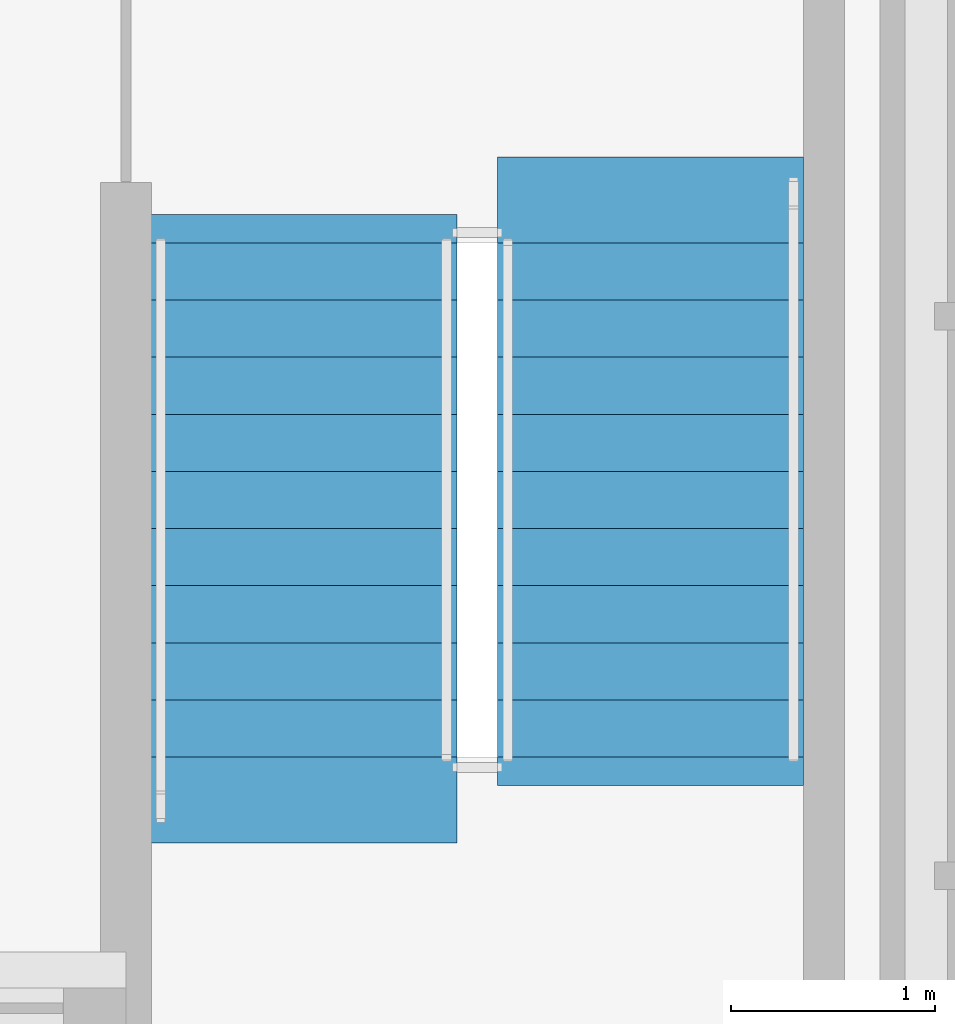
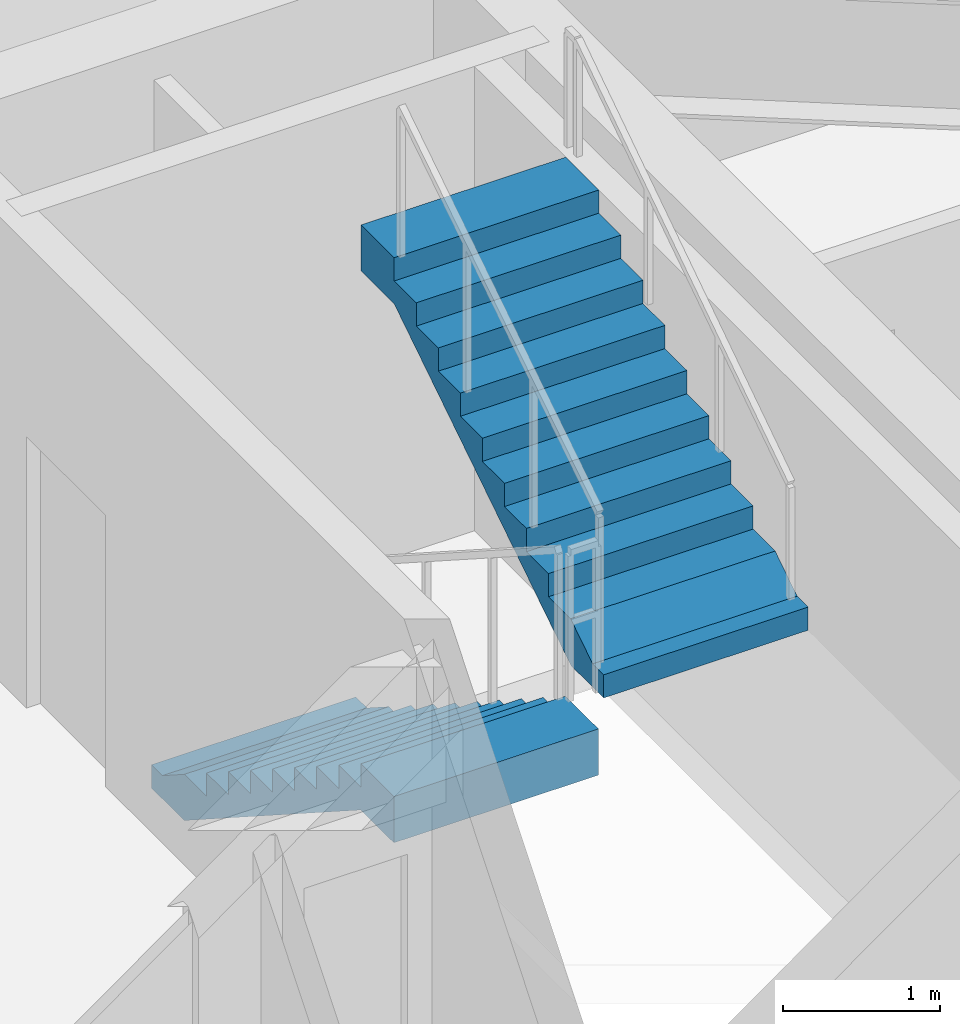
# One storey, part 10 of 12: 2 stair flights, 1 element without a shape of its own.
"""IFC4 building model written with IfcOpenShell, lengths in metres."""

import ifcopenshell
import ifcopenshell.guid

model = None  # the IFC model being written
_history = None  # IfcOwnerHistory: only IFC2X3 demands one
_inside = {}  # id of a spatial element -> (the spatial element, [elements in it])
_under = {}  # id of a project, library or spatial element -> (it, [spatial elements below it])
_declared = {}  # id of a project -> (the project, [libraries it declares])
_typed = {}  # id of a type object -> (the type object, [elements of that type])
_made_of = {}  # id of a material, layer set ... -> (it, [elements and type objects made of it])


def new_model(schema):
    """Start an empty IFC model of exactly this schema.

    Asked for "IFC4X3", IfcOpenShell would pick the latest addendum, in which some entities
    have other attributes; the version numbers below select the first issue.
    IFC2X3 requires an IfcOwnerHistory on every rooted entity: one is made here for all.
    """
    global model, _history
    if schema == "IFC4X3":
        model = ifcopenshell.file(schema_version=(4, 3, 0, 0))
    else:
        model = ifcopenshell.file(schema=schema)
    _inside.clear()
    _under.clear()
    _declared.clear()
    _typed.clear()
    _made_of.clear()
    _history = None
    if model.schema == "IFC2X3":
        org = make("IfcOrganization", Name="unknown")
        user = make(
            "IfcPersonAndOrganization",
            ThePerson=make("IfcPerson", FamilyName="unknown"),
            TheOrganization=org,
        )
        app = make(
            "IfcApplication",
            ApplicationDeveloper=org,
            Version="unknown",
            ApplicationFullName="unknown",
            ApplicationIdentifier="unknown",
        )
        _history = make(
            "IfcOwnerHistory",
            OwningUser=user,
            OwningApplication=app,
            ChangeAction="ADDED",
            CreationDate=0,
        )
    return model


def make(cls, **values):
    """One entity of the class cls with the attributes given. An attribute that is None is left unset."""
    return model.create_entity(
        cls, **{name: value for name, value in values.items() if value is not None}
    )


def rooted(cls, **values):
    """An entity with a GlobalId (a new one), such as an element, a storey or a relation."""
    return make(cls, GlobalId=ifcopenshell.guid.new(), OwnerHistory=_history, **values)


def si_unit(unit_type, name, prefix=None):
    """IfcSIUnit, for example si_unit("LENGTHUNIT", "METRE", prefix="MILLI")."""
    return make("IfcSIUnit", UnitType=unit_type, Prefix=prefix, Name=name)


def assignment(units):
    """IfcUnitAssignment: the units of a project."""
    return None if units is None else make("IfcUnitAssignment", Units=units)


def point(xyz):
    """IfcCartesianPoint."""
    return None if xyz is None else make("IfcCartesianPoint", Coordinates=xyz)


def direction(xyz):
    """IfcDirection."""
    return None if xyz is None else make("IfcDirection", DirectionRatios=xyz)


def frame(location, z_axis=None, x_axis=None):
    """IfcAxis2Placement3D, a coordinate frame: its origin and axes. An axis left out is left unset."""
    return make(
        "IfcAxis2Placement3D",
        Location=point(location),
        Axis=direction(z_axis),
        RefDirection=direction(x_axis),
    )


def origin():
    """The frame at (0, 0, 0) with its axes left unset."""
    return frame((0.0, 0.0, 0.0))


def place(relative_to, where):
    """IfcLocalPlacement: puts the frame where relative to a parent placement (None: the world)."""
    return make(
        "IfcLocalPlacement", PlacementRelTo=relative_to, RelativePlacement=where
    )


def context(
    kind, dimensions, precision=None, world=None, true_north=None, identifier=None
):
    """IfcGeometricRepresentationContext, for example the 3D "Model" context."""
    return make(
        "IfcGeometricRepresentationContext",
        ContextIdentifier=identifier,
        ContextType=kind,
        CoordinateSpaceDimension=dimensions,
        Precision=precision,
        WorldCoordinateSystem=world,
        TrueNorth=true_north,
    )


def subcontext(parent, identifier, kind, view, scale=None):
    """IfcGeometricRepresentationSubContext, for example "Body" below "Model"."""
    return make(
        "IfcGeometricRepresentationSubContext",
        ContextIdentifier=identifier,
        ContextType=kind,
        ParentContext=parent,
        TargetScale=scale,
        TargetView=view,
    )


def project(units=None, contexts=None):
    """IfcProject with its units and contexts."""
    return rooted(
        "IfcProject",
        Name="project",
        RepresentationContexts=contexts,
        UnitsInContext=assignment(units),
    )


def spatial(cls, under=None, at=None, **own):
    """A site, building, storey or space (cls), placed at a placement, below another one or the project."""
    s = rooted(cls, ObjectPlacement=at, **own)
    if under is not None:
        _under.setdefault(under.id(), (under, []))[1].append(s)
    return s


def polyline(points):
    """IfcPolyline through the points."""
    return make("IfcPolyline", Points=[point(p) for p in points])


def outline(outer, holes=None, kind="AREA"):
    """IfcArbitraryClosedProfileDef: a profile drawn as a closed curve; with holes, ...WithVoids."""
    if holes is None:
        return make("IfcArbitraryClosedProfileDef", ProfileType=kind, OuterCurve=outer)
    return make(
        "IfcArbitraryProfileDefWithVoids",
        ProfileType=kind,
        OuterCurve=outer,
        InnerCurves=holes,
    )


def extrude(swept, where, along, depth):
    """IfcExtrudedAreaSolid: the profile swept, set in the frame where, extruded along a direction by depth."""
    return make(
        "IfcExtrudedAreaSolid",
        SweptArea=swept,
        Position=where,
        ExtrudedDirection=direction(along),
        Depth=depth,
    )


def shape(context_of_items, identifier, shape_type, items):
    """IfcShapeRepresentation: the items that make up one representation, for example the "Body"."""
    return make(
        "IfcShapeRepresentation",
        ContextOfItems=context_of_items,
        RepresentationIdentifier=identifier,
        RepresentationType=shape_type,
        Items=items,
    )


def material(Name=None, Category=None):
    """IfcMaterial."""
    return make("IfcMaterial", Name=Name, Category=Category)


def layer(
    of_material, thickness, ventilated=None, Name=None, Category=None, Priority=None
):
    """IfcMaterialLayer: one layer of a wall or slab, of a material (None: an air gap)."""
    return make(
        "IfcMaterialLayer",
        Material=of_material,
        LayerThickness=thickness,
        IsVentilated=ventilated,
        Name=Name,
        Category=Category,
        Priority=Priority,
    )


def layer_set(layers, Name=None):
    """IfcMaterialLayerSet."""
    return make("IfcMaterialLayerSet", MaterialLayers=layers, LayerSetName=Name)


def made_of(thing, what):
    """Note that an element or type object is made of a material, layer set ...; save() writes the relation."""
    if what is not None:
        _made_of.setdefault(what.id(), (what, []))[1].append(thing)
    return thing


def type_object(cls, material=None, **own):
    """A type object (cls), such as IfcWallType, which elements share."""
    return made_of(rooted(cls, **own), material)


def element(
    cls,
    number,
    at=None,
    inside=None,
    cuts=None,
    type_object=None,
    material=None,
    context=None,
    identifier="Body",
    shape_type=None,
    held_by="IfcProductDefinitionShape",
    body=None,
    shapes=None,
    **own,
):
    """One element of the class cls, such as IfcWall. Its Tag is "e" and its number.

    at: its placement. inside: the storey or other place that contains it. cuts: it is an
    opening in that element (IfcRelVoidsElement). A single representation is given by context,
    identifier, shape_type and body (its items); several are given by shapes. held_by: the class
    of the entity that holds the representations. save() writes the other relations.
    """
    e = rooted(cls, Tag="e%d" % number, ObjectPlacement=at, **own)
    if body is not None:
        shapes = [shape(context, identifier, shape_type, body)]
    if shapes is not None:
        e.Representation = make(held_by, Representations=shapes)
    if inside is not None:
        _inside.setdefault(inside.id(), (inside, []))[1].append(e)
    if cuts is not None:
        rooted(
            "IfcRelVoidsElement", RelatingBuildingElement=cuts, RelatedOpeningElement=e
        )
    if type_object is not None:
        _typed.setdefault(type_object.id(), (type_object, []))[1].append(e)
    return made_of(e, material)


def aggregate(whole, parts):
    """IfcRelAggregates: a whole, such as a stair, and the parts it consists of."""
    return rooted("IfcRelAggregates", RelatingObject=whole, RelatedObjects=parts)


def save(model, path):
    """Write the relations noted so far, then the file.

    IfcRelAggregates (storeys below a building ...), IfcRelContainedInSpatialStructure (elements
    in a storey), IfcRelDefinesByType, IfcRelAssociatesMaterial and IfcRelDeclares: one each for
    every whole, place, type object, material and project.
    """
    for whole, parts in _under.values():
        aggregate(whole, parts)
    for where, things in _inside.values():
        rooted(
            "IfcRelContainedInSpatialStructure",
            RelatedElements=things,
            RelatingStructure=where,
        )
    for kind, things in _typed.values():
        rooted("IfcRelDefinesByType", RelatedObjects=things, RelatingType=kind)
    for what, things in _made_of.values():
        rooted("IfcRelAssociatesMaterial", RelatedObjects=things, RelatingMaterial=what)
    for by, libraries in _declared.values():
        rooted("IfcRelDeclares", RelatingContext=by, RelatedDefinitions=libraries)
    model.write(path)


model = new_model("IFC4")

# Units and contexts
model_context = context("Model", 3, precision=1e-05, world=origin(), true_north=direction((0.0, 1.0)))
body_context = subcontext(model_context, "Body", "Model", "MODEL_VIEW")
ifc_project = project(units=[si_unit("LENGTHUNIT", "METRE"), si_unit("AREAUNIT", "SQUARE_METRE"), si_unit("VOLUMEUNIT", "CUBIC_METRE"), si_unit("PLANEANGLEUNIT", "RADIAN"), si_unit("MASSUNIT", "GRAM", prefix="KILO")], contexts=[model_context])

# Site, building, storey
site_placement = place(None, origin())
site = spatial("IfcSite", under=ifc_project, at=site_placement, CompositionType="ELEMENT")
building_placement = place(site_placement, origin())
building = spatial("IfcBuilding", under=site, at=building_placement, Name="Talgorran Terracotta Tower", CompositionType="ELEMENT")
storey_placement = place(building_placement, frame((0.0, 0.0, 182.10009765625)))
storey = spatial("IfcBuildingStorey", under=building, at=storey_placement, Name="L47", CompositionType="ELEMENT", Elevation=182.10009765625)

# Stair, stair flights
ifc_material = material(Name="Concrete C40/50", Category="concrete")
stair_type = type_object("IfcStairType", Name="ST_FIRE_SCISSOR", PredefinedType="HALF_TURN_STAIR", material=ifc_material)
stair_placement = place(storey_placement, origin())
stair = element("IfcStair", 1, at=stair_placement, inside=storey, type_object=stair_type, Name="L47 East Protected Fire Stair ST-02", PredefinedType="HALF_TURN_STAIR")
ifc_layer = layer(ifc_material, 0.179931640625, Name="STF_RC_1500")
ifc_layer_set = layer_set([ifc_layer], Name="Concrete C40/50")
stair_flight_type = type_object("IfcStairFlightType", Name="STF_RC_1500", PredefinedType="STRAIGHT", material=ifc_layer_set)
stair_flight_1_placement = place(storey_placement, frame((9.35009765625, -7.199951171875, 0.0), z_axis=(0.0, 0.0, 1.0), x_axis=(0.0, -1.0, 0.0)))
stair_flight_1 = element("IfcStairFlight", 2, at=stair_flight_1_placement, type_object=stair_flight_type, Name="ST-02 flight 1", NumberOfRisers=10, NumberOfTreads=9, PredefinedType="STRAIGHT", RiserHeight=0.18, TreadLength=0.28, context=body_context, shape_type="SweptSolid", body=[
    extrude(outline(polyline([(-0.139892578125, 0.0), (-0.139892578125, 0.179931640625), (0.0, 0.179931640625), (0.280029296875, 0.360107421875), (0.56005859375, 0.360107421875), (0.56005859375, 0.5400390625), (0.840087890625, 0.5400390625), (0.840087890625, 0.719970703125), (1.1201171875, 0.719970703125), (1.1201171875, 0.89990234375), (1.39990234375, 0.89990234375), (1.39990234375, 1.080078125), (1.679931640625, 1.080078125), (1.679931640625, 1.260009765625), (1.9599609375, 1.260009765625), (1.9599609375, 1.43994140625), (2.239990234375, 1.43994140625), (2.239990234375, 1.6201171875), (2.52001953125, 1.6201171875), (2.52001953125, 1.800048828125), (2.93994140625, 1.800048828125), (2.93994140625, 1.44189453125), (2.52001953125, 1.44189453125), (0.277099609375, 0.0), (-0.139892578125, 0.0)])), frame((0.0, 0.75, 0.0), z_axis=(0.0, -1.0, 0.0), x_axis=(1.0, 0.0, 0.0)), (0.0, 0.0, 1.0), 1.5),
])
stair_flight_2_placement = place(storey_placement, frame((11.050048828125, -9.719970703125, 1.7998046875), z_axis=(0.0, 0.0, 1.0), x_axis=(0.0, 1.0, 0.0)))
stair_flight_2 = element("IfcStairFlight", 3, at=stair_flight_2_placement, type_object=stair_flight_type, Name="ST-02 flight 2", NumberOfRisers=10, NumberOfTreads=9, PredefinedType="STRAIGHT", RiserHeight=0.18, TreadLength=0.28, context=body_context, shape_type="SweptSolid", body=[
    extrude(outline(polyline([(-0.139892578125, 0.0), (-0.139892578125, 0.179931640625), (0.0, 0.179931640625), (0.280029296875, 0.360107421875), (0.56005859375, 0.360107421875), (0.56005859375, 0.5400390625), (0.840087890625, 0.5400390625), (0.840087890625, 0.719970703125), (1.1201171875, 0.719970703125), (1.1201171875, 0.89990234375), (1.39990234375, 0.89990234375), (1.39990234375, 1.080078125), (1.679931640625, 1.080078125), (1.679931640625, 1.260009765625), (1.9599609375, 1.260009765625), (1.9599609375, 1.43994140625), (2.239990234375, 1.43994140625), (2.239990234375, 1.6201171875), (2.52001953125, 1.6201171875), (2.52001953125, 1.800048828125), (2.93994140625, 1.800048828125), (2.93994140625, 1.44189453125), (2.52001953125, 1.44189453125), (0.277099609375, 0.0), (-0.139892578125, 0.0)])), frame((0.0, 0.75, 0.0), z_axis=(0.0, -1.0, 0.0), x_axis=(1.0, 0.0, 0.0)), (0.0, 0.0, 1.0), 1.5),
])
aggregate(stair, [stair_flight_1, stair_flight_2])

save(model, "model.ifc")
